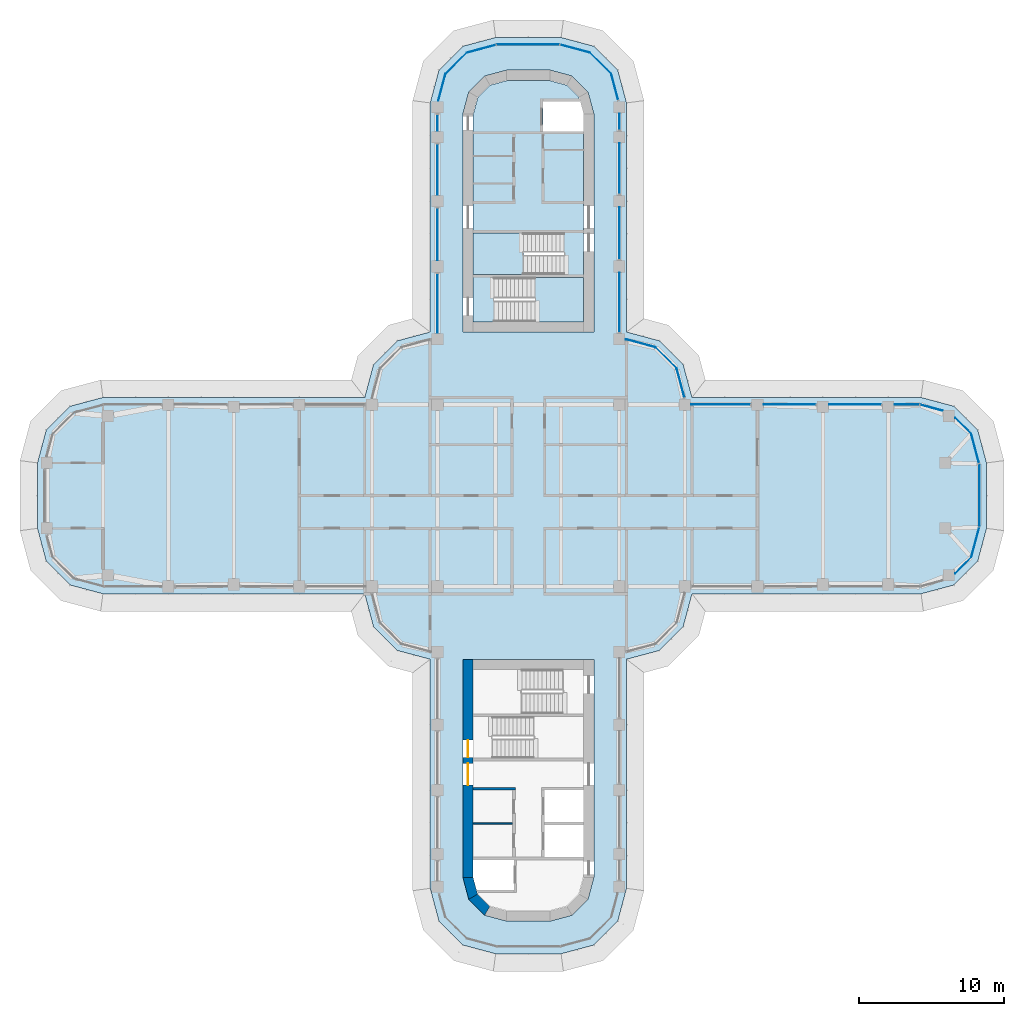
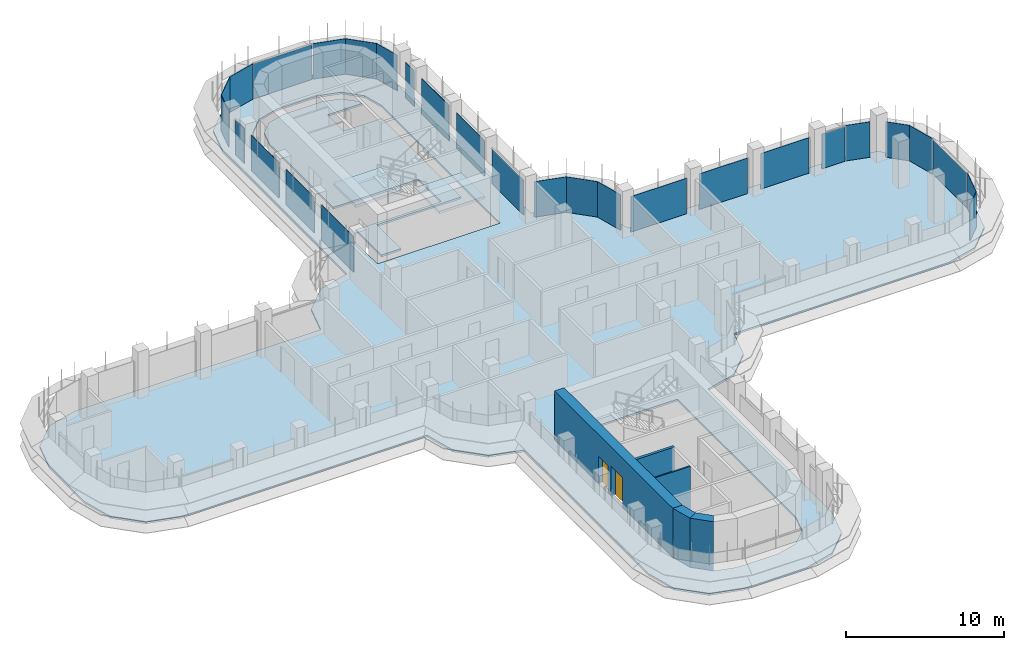
# One storey, part 12 of 19: 28 plates, 5 walls, 4 slabs, 2 doors, 2 openings, 21 elements without a shape of their own.
"""IFC4 building model written with IfcOpenShell, lengths in metres."""

from ifc_helpers import new_model, si_unit, direction, frame, frame_2d, origin, place, context, subcontext, project, spatial, polyline, rectangle, outline, extrude, source, transform, mapped, material, layer, layer_set, type_object, element, fill, aggregate, save


model = new_model("IFC4")

# Units and contexts
model_context = context("Model", 3, precision=1e-05, world=origin(), true_north=direction((0.0, 1.0)))
body_context = subcontext(model_context, "Body", "Model", "MODEL_VIEW")
ifc_project = project(units=[si_unit("LENGTHUNIT", "METRE"), si_unit("AREAUNIT", "SQUARE_METRE"), si_unit("VOLUMEUNIT", "CUBIC_METRE"), si_unit("PLANEANGLEUNIT", "RADIAN"), si_unit("MASSUNIT", "GRAM", prefix="KILO")], contexts=[model_context])

# Site, building, storey
site_placement = place(None, origin())
site = spatial("IfcSite", under=ifc_project, at=site_placement, CompositionType="ELEMENT")
building_placement = place(site_placement, origin())
building = spatial("IfcBuilding", under=site, at=building_placement, Name="Zarbagh Exchange Tower", CompositionType="ELEMENT")
storey_placement = place(building_placement, frame((0.0, 0.0, 167.60009765625)))
storey = spatial("IfcBuildingStorey", under=building, at=storey_placement, Name="L40", CompositionType="ELEMENT", Elevation=167.60009765625)

# Slabs
ifc_material_1 = material(Name="Concrete C40/50", Category="concrete")
ifc_layer_1 = layer(ifc_material_1, 0.14990234375)
ifc_layer_set_1 = layer_set([ifc_layer_1], Name="Composite floor slab 150 C40/50")
slab_type_1 = type_object("IfcSlabType", Name="Composite floor slab 150 C40/50", PredefinedType="FLOOR", material=ifc_layer_set_1)
slab_1_placement = place(storey_placement, frame((0.0, 0.0, -0.150146484375)))
element("IfcSlab", 1, at=slab_1_placement, inside=storey, type_object=slab_type_1, Name="S5 composite floor slab", PredefinedType="FLOOR", context=body_context, shape_type="SweptSolid", body=[
    extrude(outline(polyline([(-2.25, -31.5), (-4.5, -30.897216796875), (-6.147216796875, -29.25), (-6.75, -27.0), (-6.75, -11.25), (-9.0, -10.647216796875), (-10.647216796875, -9.0), (-11.25, -6.75), (-29.25, -6.75), (-31.5, -6.147216796875), (-33.147216796875, -4.5), (-33.75, -2.25), (-33.75, 2.25), (-33.147216796875, 4.5), (-31.5, 6.147216796875), (-29.25, 6.75), (-11.25, 6.75), (-10.647216796875, 9.0), (-9.0, 10.647216796875), (-6.75, 11.25), (-6.75, 27.0), (-6.147216796875, 29.25), (-4.5, 30.897216796875), (-2.25, 31.5), (2.25, 31.5), (4.5, 30.897216796875), (6.147216796875, 29.25), (6.75, 27.0), (6.75, 11.25), (9.0, 10.647216796875), (10.647216796875, 9.0), (11.25, 6.75), (27.0, 6.75), (29.25, 6.147216796875), (30.897216796875, 4.5), (31.5, 2.25), (31.5, -2.25), (30.897216796875, -4.5), (29.25, -6.147216796875), (27.0, -6.75), (11.25, -6.75), (10.647216796875, -9.0), (9.0, -10.647216796875), (6.75, -11.25), (6.75, -27.0), (6.147216796875, -29.25), (4.5, -30.897216796875), (2.25, -31.5), (-2.25, -31.5)]), holes=[polyline([(4.5, 11.25), (4.5, 26.25), (4.09814453125, 27.75), (3.0, 28.84814453125), (1.5, 29.25), (-1.5, 29.25), (-3.0, 28.84814453125), (-4.09814453125, 27.75), (-4.5, 26.25), (-4.5, 11.25), (4.5, 11.25)]), polyline([(-1.5, -29.25), (1.5, -29.25), (3.0, -28.84814453125), (4.09814453125, -27.75), (4.5, -26.25), (4.5, -11.25), (-4.5, -11.25), (-4.5, -26.25), (-4.09814453125, -27.75), (-3.0, -28.84814453125), (-1.5, -29.25)])]), origin(), (0.0, 0.0, 1.0), 0.150146484375),
])
ifc_layer_2 = layer(ifc_material_1, 0.14990234375)
ifc_layer_set_2 = layer_set([ifc_layer_2], Name="Core floor slab 150 C40/50")
slab_type_2 = type_object("IfcSlabType", Name="Core floor slab 150 C40/50", PredefinedType="FLOOR", material=ifc_layer_set_2)
slab_2_placement = place(storey_placement, frame((0.0, 0.0, -0.150146484375)))
element("IfcSlab", 2, at=slab_2_placement, inside=storey, type_object=slab_type_2, Name="S17 core N", PredefinedType="FLOOR", context=body_context, shape_type="SweptSolid", body=[
    extrude(outline(polyline([(-3.800048828125, 11.949951171875), (-3.800048828125, 15.199951171875), (2.449951171875, 15.199951171875), (2.449951171875, 18.050048828125), (-3.800048828125, 18.050048828125), (-3.800048828125, 26.15771484375), (-3.470458984375, 27.3876953125), (-2.6376953125, 28.220458984375), (-1.40771484375, 28.550048828125), (1.40771484375, 28.550048828125), (2.6376953125, 28.220458984375), (3.470458984375, 27.3876953125), (3.800048828125, 26.15771484375), (3.800048828125, 26.15771484375), (3.547607421875, 27.10009765625), (1.0, 27.10009765625), (1.0, 25.050048828125), (3.800048828125, 25.050048828125), (3.800048828125, 15.0), (-2.35009765625, 15.0), (-2.35009765625, 11.949951171875), (-3.800048828125, 11.949951171875)])), origin(), (0.0, 0.0, 1.0), 0.150146484375),
])

# Stair, slab
stair_type = type_object("IfcStairType", Name="Exit stair two-flight half-turn", PredefinedType="HALF_TURN_STAIR", material=ifc_material_1)
stair_1_placement = place(storey_placement, origin())
stair_1 = element("IfcStair", 3, at=stair_1_placement, inside=storey, type_object=stair_type, Name="exit stair ST1", PredefinedType="HALF_TURN_STAIR")
ifc_layer_3 = layer(ifc_material_1, 0.199951171875)
ifc_layer_set_3 = layer_set([ifc_layer_3], Name="Stair landing 200 mm")
slab_type_3 = type_object("IfcSlabType", Name="Stair landing 200 mm", PredefinedType="LANDING", material=ifc_layer_set_3)
slab_3_placement = place(storey_placement, frame((0.0, 0.0, 1.699951171875)))
slab_3 = element("IfcSlab", 4, at=slab_3_placement, type_object=slab_type_3, Name="ST1 landing 1", PredefinedType="LANDING", context=body_context, shape_type="SweptSolid", body=[
    extrude(outline(polyline([(-0.35009765625, 18.050048828125), (-3.800048828125, 18.050048828125), (-3.800048828125, 15.199951171875), (-0.35009765625, 15.199951171875), (-0.35009765625, 18.050048828125)])), origin(), (0.0, 0.0, 1.0), 0.199951171875),
])
aggregate(stair_1, [slab_3])

stair_2_placement = place(storey_placement, origin())
stair_2 = element("IfcStair", 5, at=stair_2_placement, inside=storey, type_object=stair_type, Name="exit stair ST2", PredefinedType="HALF_TURN_STAIR")
slab_4_placement = place(storey_placement, frame((0.0, 0.0, 1.699951171875)))
slab_4 = element("IfcSlab", 6, at=slab_4_placement, type_object=slab_type_3, Name="ST2 landing 1", PredefinedType="LANDING", context=body_context, shape_type="SweptSolid", body=[
    extrude(outline(polyline([(0.449951171875, 11.949951171875), (3.800048828125, 11.949951171875), (3.800048828125, 15.0), (0.449951171875, 15.0), (0.449951171875, 11.949951171875)])), origin(), (0.0, 0.0, 1.0), 0.199951171875),
])
aggregate(stair_2, [slab_4])

# Curtain wall, plate
ifc_material_2 = material(Name="Anodised aluminium frame and glazing", Category="aluminium")
curtain_wall_type = type_object("IfcCurtainWallType", Name="CWB Ribbon glazing, upper zones", PredefinedType="NOTDEFINED", material=ifc_material_2)
curtain_wall_1_placement = place(storey_placement, origin())
curtain_wall_1 = element("IfcCurtainWall", 7, at=curtain_wall_1_placement, inside=storey, type_object=curtain_wall_type, Name="CWB18 curtain wall", PredefinedType="NOTDEFINED")
ifc_material_3 = material(Name="Low-e double glazed unit, 6+12+6 mm")
ifc_layer_4 = layer(ifc_material_3, 0.031982421875)
ifc_layer_set_4 = layer_set([ifc_layer_4], Name="PAB Glazing panel, Low-e double glazed unit, 6+12+6 mm")
plate_type = type_object("IfcPlateType", Name="PAB Glazing panel, Low-e double glazed unit, 6+12+6 mm", PredefinedType="CURTAIN_PANEL", material=ifc_layer_set_4)
shared_shape_1 = source(origin(), body_context, "Body", "SweptSolid", [
    extrude(outline(polyline([(0.0, -0.01611328125), (2.061279296875, -0.01611328125), (2.061279296875, 0.01611328125), (0.0, 0.01611328125), (0.0, -0.01611328125)])), origin(), (0.0, 0.0, 1.0), 2.75),
])
placement = place(storey_placement, origin())
plate_1 = element("IfcPlate", 8, at=placement, type_object=plate_type, Name="CWB18 glazing panel 1.1", PredefinedType="CURTAIN_PANEL", context=body_context, shape_type="MappedRepresentation", body=[
    mapped(shared_shape_1, transform((10.19873046875, 8.7412109375, 0.0), x_axis=(-0.707106781187, 0.707106781187, 0.0), y_axis=(-0.707106781187, -0.707106781187, 0.0), z_axis=(0.0, 0.0, 1.0))),
])
aggregate(curtain_wall_1, [plate_1])

curtain_wall_2_placement = place(storey_placement, origin())
curtain_wall_2 = element("IfcCurtainWall", 9, at=curtain_wall_2_placement, inside=storey, type_object=curtain_wall_type, Name="CWB22 curtain wall", PredefinedType="NOTDEFINED")
plate_2 = element("IfcPlate", 10, at=placement, type_object=plate_type, Name="CWB22 glazing panel 1.1", PredefinedType="CURTAIN_PANEL", context=body_context, shape_type="MappedRepresentation", body=[
    mapped(shared_shape_1, transform((5.69873046875, 28.9912109375, 0.0), x_axis=(-0.707106781187, 0.707106781187, 0.0), y_axis=(-0.707106781187, -0.707106781187, 0.0), z_axis=(0.0, 0.0, 1.0))),
])
aggregate(curtain_wall_2, [plate_2])

curtain_wall_3_placement = place(storey_placement, origin())
curtain_wall_3 = element("IfcCurtainWall", 11, at=curtain_wall_3_placement, inside=storey, type_object=curtain_wall_type, Name="CWB26 curtain wall", PredefinedType="NOTDEFINED")
plate_3 = element("IfcPlate", 12, at=placement, type_object=plate_type, Name="CWB26 glazing panel 1.1", PredefinedType="CURTAIN_PANEL", context=body_context, shape_type="MappedRepresentation", body=[
    mapped(shared_shape_1, transform((-4.2412109375, 30.44873046875, 0.0), x_axis=(-0.707106781187, -0.707106781187, 0.0), y_axis=(0.707106781187, -0.707106781187, 0.0), z_axis=(0.0, 0.0, 1.0))),
])
aggregate(curtain_wall_3, [plate_3])

curtain_wall_4_placement = place(storey_placement, origin())
curtain_wall_4 = element("IfcCurtainWall", 13, at=curtain_wall_4_placement, inside=storey, type_object=curtain_wall_type, Name="CWB11 curtain wall", PredefinedType="NOTDEFINED")
shared_shape_2 = source(origin(), body_context, "Body", "SweptSolid", [
    extrude(outline(polyline([(0.0, -0.01611328125), (2.129638671875, -0.01611328125), (2.129638671875, 0.01611328125), (0.0, 0.01611328125), (0.0, -0.01611328125)])), origin(), (0.0, 0.0, 1.0), 2.75),
])
plate_4 = element("IfcPlate", 14, at=placement, type_object=plate_type, Name="CWB11 glazing panel 1.1", PredefinedType="CURTAIN_PANEL", context=body_context, shape_type="MappedRepresentation", body=[
    mapped(shared_shape_2, transform((30.44873046875, -4.2412109375, 0.0), x_axis=(0.258824779902, 0.965924289636, 0.0), y_axis=(-0.965924289636, 0.258824779902, 0.0), z_axis=(0.0, 0.0, 1.0))),
])
aggregate(curtain_wall_4, [plate_4])

curtain_wall_5_placement = place(storey_placement, origin())
curtain_wall_5 = element("IfcCurtainWall", 15, at=curtain_wall_5_placement, inside=storey, type_object=curtain_wall_type, Name="CWB23 curtain wall", PredefinedType="NOTDEFINED")
plate_5 = element("IfcPlate", 16, at=placement, type_object=plate_type, Name="CWB23 glazing panel 1.1", PredefinedType="CURTAIN_PANEL", context=body_context, shape_type="MappedRepresentation", body=[
    mapped(shared_shape_2, transform((4.2412109375, 30.44873046875, 0.0), x_axis=(-0.965924289636, 0.258824779902, 0.0), y_axis=(-0.258824779902, -0.965924289636, 0.0), z_axis=(0.0, 0.0, 1.0))),
])
aggregate(curtain_wall_5, [plate_5])

curtain_wall_6_placement = place(storey_placement, origin())
curtain_wall_6 = element("IfcCurtainWall", 17, at=curtain_wall_6_placement, inside=storey, type_object=curtain_wall_type, Name="CWB20 curtain wall", PredefinedType="NOTDEFINED")
shared_shape_3 = source(origin(), body_context, "Body", "SweptSolid", [
    extrude(outline(polyline([(0.0, -0.01611328125), (3.4599609375, -0.01611328125), (3.4599609375, 0.01611328125), (0.0, 0.01611328125), (0.0, -0.01611328125)])), origin(), (0.0, 0.0, 1.0), 2.75),
])
plate_6 = element("IfcPlate", 18, at=placement, type_object=plate_type, Name="CWB20 glazing panel 3.1", PredefinedType="CURTAIN_PANEL", context=body_context, shape_type="MappedRepresentation", body=[
    mapped(shared_shape_3, transform((6.25, 20.75, 0.0), x_axis=(0.0, 1.0, 0.0), y_axis=(-1.0, 0.0, 0.0), z_axis=(0.0, 0.0, 1.0))),
])

curtain_wall_7_placement = place(storey_placement, origin())
curtain_wall_7 = element("IfcCurtainWall", 19, at=curtain_wall_7_placement, inside=storey, type_object=curtain_wall_type, Name="CWB28 curtain wall", PredefinedType="NOTDEFINED")
plate_7 = element("IfcPlate", 20, at=placement, type_object=plate_type, Name="CWB28 glazing panel 2.1", PredefinedType="CURTAIN_PANEL", context=body_context, shape_type="MappedRepresentation", body=[
    mapped(shared_shape_3, transform((-6.25, 24.14990234375, 0.0), x_axis=(0.0, -1.0, 0.0), y_axis=(1.0, 0.0, 0.0), z_axis=(0.0, 0.0, 1.0))),
])

# Curtain wall, plates
curtain_wall_8_placement = place(storey_placement, origin())
curtain_wall_8 = element("IfcCurtainWall", 21, at=curtain_wall_8_placement, inside=storey, type_object=curtain_wall_type, Name="CWB16 curtain wall", PredefinedType="NOTDEFINED")
shared_shape_4 = source(origin(), body_context, "Body", "SweptSolid", [
    extrude(outline(polyline([(0.0, -0.01611328125), (3.56005859375, -0.01611328125), (3.56005859375, 0.01611328125), (0.0, 0.01611328125), (0.0, -0.01611328125)])), origin(), (0.0, 0.0, 1.0), 2.75),
])
plate_8 = element("IfcPlate", 22, at=placement, type_object=plate_type, Name="CWB16 glazing panel 2.1", PredefinedType="CURTAIN_PANEL", context=body_context, shape_type="MappedRepresentation", body=[
    mapped(shared_shape_4, transform((24.25, 6.25, 0.0), x_axis=(-1.0, 0.0, 0.0), y_axis=(0.0, -1.0, 0.0), z_axis=(0.0, 0.0, 1.0))),
])
plate_9 = element("IfcPlate", 23, at=placement, type_object=plate_type, Name="CWB16 glazing panel 3.1", PredefinedType="CURTAIN_PANEL", context=body_context, shape_type="MappedRepresentation", body=[
    mapped(shared_shape_4, transform((19.75, 6.25, 0.0), x_axis=(-1.0, 0.0, 0.0), y_axis=(0.0, -1.0, 0.0), z_axis=(0.0, 0.0, 1.0))),
])

# Plate
plate_10 = element("IfcPlate", 24, at=placement, type_object=plate_type, Name="CWB20 glazing panel 2.1", PredefinedType="CURTAIN_PANEL", context=body_context, shape_type="MappedRepresentation", body=[
    mapped(shared_shape_4, transform((6.25, 16.25, 0.0), x_axis=(0.0, 1.0, 0.0), y_axis=(-1.0, 0.0, 0.0), z_axis=(0.0, 0.0, 1.0))),
])

plate_11 = element("IfcPlate", 25, at=placement, type_object=plate_type, Name="CWB28 glazing panel 3.1", PredefinedType="CURTAIN_PANEL", context=body_context, shape_type="MappedRepresentation", body=[
    mapped(shared_shape_4, transform((-6.25, 19.75, 0.0), x_axis=(0.0, -1.0, 0.0), y_axis=(1.0, 0.0, 0.0), z_axis=(0.0, 0.0, 1.0))),
])

shared_shape_5 = source(origin(), body_context, "Body", "SweptSolid", [
    extrude(outline(polyline([(0.0, -0.01611328125), (4.06005859375, -0.01611328125), (4.06005859375, 0.01611328125), (0.0, 0.01611328125), (0.0, -0.01611328125)])), origin(), (0.0, 0.0, 1.0), 2.75),
])
plate_12 = element("IfcPlate", 26, at=placement, type_object=plate_type, Name="CWB16 glazing panel 4.1", PredefinedType="CURTAIN_PANEL", context=body_context, shape_type="MappedRepresentation", body=[
    mapped(shared_shape_5, transform((15.25, 6.25, 0.0), x_axis=(-1.0, 0.0, 0.0), y_axis=(0.0, -1.0, 0.0), z_axis=(0.0, 0.0, 1.0))),
])

plate_13 = element("IfcPlate", 27, at=placement, type_object=plate_type, Name="CWB28 glazing panel 4.1", PredefinedType="CURTAIN_PANEL", context=body_context, shape_type="MappedRepresentation", body=[
    mapped(shared_shape_5, transform((-6.25, 15.25, 0.0), x_axis=(0.0, -1.0, 0.0), y_axis=(1.0, 0.0, 0.0), z_axis=(0.0, 0.0, 1.0))),
])

# Curtain wall, plate
curtain_wall_9_placement = place(storey_placement, origin())
curtain_wall_9 = element("IfcCurtainWall", 28, at=curtain_wall_9_placement, inside=storey, type_object=curtain_wall_type, Name="CWB17 curtain wall", PredefinedType="NOTDEFINED")
shared_shape_6 = source(origin(), body_context, "Body", "SweptSolid", [
    extrude(outline(polyline([(0.0, -0.01611328125), (2.063720703125, -0.01611328125), (2.063720703125, 0.01611328125), (0.0, 0.01611328125), (0.0, -0.01611328125)])), origin(), (0.0, 0.0, 1.0), 2.75),
])
plate_14 = element("IfcPlate", 29, at=placement, type_object=plate_type, Name="CWB17 glazing panel 1.1", PredefinedType="CURTAIN_PANEL", context=body_context, shape_type="MappedRepresentation", body=[
    mapped(shared_shape_6, transform((10.73291015625, 6.748046875, 0.0), x_axis=(-0.258824779902, 0.965924289636, 0.0), y_axis=(-0.965924289636, -0.258824779902, 0.0), z_axis=(0.0, 0.0, 1.0))),
])
aggregate(curtain_wall_9, [plate_14])

curtain_wall_10_placement = place(storey_placement, origin())
curtain_wall_10 = element("IfcCurtainWall", 30, at=curtain_wall_10_placement, inside=storey, type_object=curtain_wall_type, Name="CWB19 curtain wall", PredefinedType="NOTDEFINED")
shared_shape_7 = source(origin(), body_context, "Body", "SweptSolid", [
    extrude(outline(polyline([(0.0, -0.01611328125), (2.12353515625, -0.01611328125), (2.12353515625, 0.01611328125), (0.0, 0.01611328125), (0.0, -0.01611328125)])), origin(), (0.0, 0.0, 1.0), 2.75),
])
plate_15 = element("IfcPlate", 31, at=placement, type_object=plate_type, Name="CWB19 glazing panel 1.1", PredefinedType="CURTAIN_PANEL", context=body_context, shape_type="MappedRepresentation", body=[
    mapped(shared_shape_7, transform((8.7412109375, 10.19873046875, 0.0), x_axis=(-0.965924289636, 0.258824779902, 0.0), y_axis=(-0.258824779902, -0.965924289636, 0.0), z_axis=(0.0, 0.0, 1.0))),
])
aggregate(curtain_wall_10, [plate_15])

# Plate
shared_shape_8 = source(origin(), body_context, "Body", "SweptSolid", [
    extrude(outline(polyline([(0.0, -0.01611328125), (4.06005859375, -0.01611328125), (4.06005859375, 0.01611328125), (0.0, 0.01611328125), (0.0, -0.01611328125)])), origin(), (0.0, 0.0, 1.0), 2.68994140625),
])
plate_16 = element("IfcPlate", 32, at=placement, type_object=plate_type, Name="CWB20 glazing panel 1.1", PredefinedType="CURTAIN_PANEL", context=body_context, shape_type="MappedRepresentation", body=[
    mapped(shared_shape_8, transform((6.25, 11.25, 0.0), x_axis=(0.0, 1.0, 0.0), y_axis=(-1.0, 0.0, 0.0), z_axis=(0.0, 0.0, 1.0))),
])

# Curtain wall, plate
curtain_wall_11_placement = place(storey_placement, origin())
curtain_wall_11 = element("IfcCurtainWall", 33, at=curtain_wall_11_placement, inside=storey, type_object=curtain_wall_type, Name="CWB10 curtain wall", PredefinedType="NOTDEFINED")
shared_shape_9 = source(origin(), body_context, "Body", "SweptSolid", [
    extrude(outline(polyline([(0.0, -0.01611328125), (1.556884765625, -0.01611328125), (1.556884765625, 0.01611328125), (0.0, 0.01611328125), (0.0, -0.01611328125)])), origin(), (0.0, 0.0, 1.0), 2.75),
])
plate_17 = element("IfcPlate", 34, at=placement, type_object=plate_type, Name="CWB10 glazing panel 1.1", PredefinedType="CURTAIN_PANEL", context=body_context, shape_type="MappedRepresentation", body=[
    mapped(shared_shape_9, transform((29.347900390625, -5.342041015625, 0.0), x_axis=(0.707106781187, 0.707106781187, 0.0), y_axis=(-0.707106781187, 0.707106781187, 0.0), z_axis=(0.0, 0.0, 1.0))),
])
aggregate(curtain_wall_11, [plate_17])

curtain_wall_12_placement = place(storey_placement, origin())
curtain_wall_12 = element("IfcCurtainWall", 35, at=curtain_wall_12_placement, inside=storey, type_object=curtain_wall_type, Name="CWB14 curtain wall", PredefinedType="NOTDEFINED")
plate_18 = element("IfcPlate", 36, at=placement, type_object=plate_type, Name="CWB14 glazing panel 1.1", PredefinedType="CURTAIN_PANEL", context=body_context, shape_type="MappedRepresentation", body=[
    mapped(shared_shape_9, transform((30.44873046875, 4.2412109375, 0.0), x_axis=(-0.707106781187, 0.707106781187, 0.0), y_axis=(-0.707106781187, -0.707106781187, 0.0), z_axis=(0.0, 0.0, 1.0))),
])
aggregate(curtain_wall_12, [plate_18])

curtain_wall_13_placement = place(storey_placement, origin())
curtain_wall_13 = element("IfcCurtainWall", 37, at=curtain_wall_13_placement, inside=storey, type_object=curtain_wall_type, Name="CWB12 curtain wall", PredefinedType="NOTDEFINED")
shared_shape_10 = source(origin(), body_context, "Body", "SweptSolid", [
    extrude(outline(polyline([(0.0, -0.01611328125), (4.308349609375, -0.01611328125), (4.308349609375, 0.01611328125), (0.0, 0.01611328125), (0.0, -0.01611328125)])), origin(), (0.0, 0.0, 1.0), 2.68994140625),
])
plate_19 = element("IfcPlate", 38, at=placement, type_object=plate_type, Name="CWB12 glazing panel 1.1", PredefinedType="CURTAIN_PANEL", context=body_context, shape_type="MappedRepresentation", body=[
    mapped(shared_shape_10, transform((31.0, -2.124267578125, 0.0), x_axis=(0.0, 1.0, 0.0), y_axis=(-1.0, 0.0, 0.0), z_axis=(0.0, 0.0, 1.0))),
])
aggregate(curtain_wall_13, [plate_19])

curtain_wall_14_placement = place(storey_placement, origin())
curtain_wall_14 = element("IfcCurtainWall", 39, at=curtain_wall_14_placement, inside=storey, type_object=curtain_wall_type, Name="CWB24 curtain wall", PredefinedType="NOTDEFINED")
plate_20 = element("IfcPlate", 40, at=placement, type_object=plate_type, Name="CWB24 glazing panel 1.1", PredefinedType="CURTAIN_PANEL", context=body_context, shape_type="MappedRepresentation", body=[
    mapped(shared_shape_10, transform((2.124267578125, 31.0, 0.0), x_axis=(-1.0, 0.0, 0.0), y_axis=(0.0, -1.0, 0.0), z_axis=(0.0, 0.0, 1.0))),
])
aggregate(curtain_wall_14, [plate_20])

curtain_wall_15_placement = place(storey_placement, origin())
curtain_wall_15 = element("IfcCurtainWall", 41, at=curtain_wall_15_placement, inside=storey, type_object=curtain_wall_type, Name="CWB13 curtain wall", PredefinedType="NOTDEFINED")
shared_shape_11 = source(origin(), body_context, "Body", "SweptSolid", [
    extrude(outline(polyline([(0.0, -0.01611328125), (2.069580078125, -0.01611328125), (2.069580078125, 0.01611328125), (0.0, 0.01611328125), (0.0, -0.01611328125)])), origin(), (0.0, 0.0, 1.0), 2.75),
])
plate_21 = element("IfcPlate", 42, at=placement, type_object=plate_type, Name="CWB13 glazing panel 1.1", PredefinedType="CURTAIN_PANEL", context=body_context, shape_type="MappedRepresentation", body=[
    mapped(shared_shape_11, transform((30.984375, 2.2421875, 0.0), x_axis=(-0.258824779902, 0.965924289636, 0.0), y_axis=(-0.965924289636, -0.258824779902, 0.0), z_axis=(0.0, 0.0, 1.0))),
])
aggregate(curtain_wall_15, [plate_21])

curtain_wall_16_placement = place(storey_placement, origin())
curtain_wall_16 = element("IfcCurtainWall", 43, at=curtain_wall_16_placement, inside=storey, type_object=curtain_wall_type, Name="CWB25 curtain wall", PredefinedType="NOTDEFINED")
plate_22 = element("IfcPlate", 44, at=placement, type_object=plate_type, Name="CWB25 glazing panel 1.1", PredefinedType="CURTAIN_PANEL", context=body_context, shape_type="MappedRepresentation", body=[
    mapped(shared_shape_11, transform((-2.2421875, 30.984375, 0.0), x_axis=(-0.965924289636, -0.258824779902, 0.0), y_axis=(0.258824779902, -0.965924289636, 0.0), z_axis=(0.0, 0.0, 1.0))),
])
aggregate(curtain_wall_16, [plate_22])

curtain_wall_17_placement = place(storey_placement, origin())
curtain_wall_17 = element("IfcCurtainWall", 45, at=curtain_wall_17_placement, inside=storey, type_object=curtain_wall_type, Name="CWB15 curtain wall", PredefinedType="NOTDEFINED")
shared_shape_12 = source(origin(), body_context, "Body", "SweptSolid", [
    extrude(outline(polyline([(0.0, -0.01611328125), (1.587890625, -0.01611328125), (1.587890625, 0.01611328125), (0.0, 0.01611328125), (0.0, -0.01611328125)])), origin(), (0.0, 0.0, 1.0), 2.75),
])
plate_23 = element("IfcPlate", 46, at=placement, type_object=plate_type, Name="CWB15 glazing panel 1.1", PredefinedType="CURTAIN_PANEL", context=body_context, shape_type="MappedRepresentation", body=[
    mapped(shared_shape_12, transform((28.468017578125, 5.839111328125, 0.0), x_axis=(-0.965924289636, 0.258824779902, 0.0), y_axis=(-0.258824779902, -0.965924289636, 0.0), z_axis=(0.0, 0.0, 1.0))),
])
aggregate(curtain_wall_17, [plate_23])

# Plate
shared_shape_13 = source(origin(), body_context, "Body", "SweptSolid", [
    extrude(outline(polyline([(0.0, -0.01611328125), (1.68408203125, -0.01611328125), (1.68408203125, 0.01611328125), (0.0, 0.01611328125), (0.0, -0.01611328125)])), origin(), (0.0, 0.0, 1.0), 2.68994140625),
])
plate_24 = element("IfcPlate", 47, at=placement, type_object=plate_type, Name="CWB16 glazing panel 1.1", PredefinedType="CURTAIN_PANEL", context=body_context, shape_type="MappedRepresentation", body=[
    mapped(shared_shape_13, transform((26.874267578125, 6.25, 0.0), x_axis=(-1.0, 0.0, 0.0), y_axis=(0.0, -1.0, 0.0), z_axis=(0.0, 0.0, 1.0))),
])

aggregate(curtain_wall_8, [plate_24, plate_8, plate_9, plate_12])

shared_shape_14 = source(origin(), body_context, "Body", "SweptSolid", [
    extrude(outline(polyline([(0.0, -0.01611328125), (1.110107421875, -0.01611328125), (1.110107421875, 0.01611328125), (0.0, 0.01611328125), (0.0, -0.01611328125)])), origin(), (0.0, 0.0, 1.0), 2.75),
])
plate_25 = element("IfcPlate", 48, at=placement, type_object=plate_type, Name="CWB20 glazing panel 4.1", PredefinedType="CURTAIN_PANEL", context=body_context, shape_type="MappedRepresentation", body=[
    mapped(shared_shape_14, transform((6.25, 25.150146484375, 0.0), x_axis=(0.0, 1.0, 0.0), y_axis=(-1.0, 0.0, 0.0), z_axis=(0.0, 0.0, 1.0))),
])

aggregate(curtain_wall_6, [plate_16, plate_10, plate_6, plate_25])

# Curtain wall, plate
curtain_wall_18_placement = place(storey_placement, origin())
curtain_wall_18 = element("IfcCurtainWall", 49, at=curtain_wall_18_placement, inside=storey, type_object=curtain_wall_type, Name="CWB21 curtain wall", PredefinedType="NOTDEFINED")
shared_shape_15 = source(origin(), body_context, "Body", "SweptSolid", [
    extrude(outline(polyline([(0.0, -0.01611328125), (1.8564453125, -0.01611328125), (1.8564453125, 0.01611328125), (0.0, 0.01611328125), (0.0, -0.01611328125)])), origin(), (0.0, 0.0, 1.0), 2.75),
])
plate_26 = element("IfcPlate", 50, at=placement, type_object=plate_type, Name="CWB21 glazing panel 1.1", PredefinedType="CURTAIN_PANEL", context=body_context, shape_type="MappedRepresentation", body=[
    mapped(shared_shape_15, transform((6.17919921875, 27.197998046875, 0.0), x_axis=(-0.258824779902, 0.965924289636, 0.0), y_axis=(-0.965924289636, -0.258824779902, 0.0), z_axis=(0.0, 0.0, 1.0))),
])
aggregate(curtain_wall_18, [plate_26])

curtain_wall_19_placement = place(storey_placement, origin())
curtain_wall_19 = element("IfcCurtainWall", 51, at=curtain_wall_19_placement, inside=storey, type_object=curtain_wall_type, Name="CWB27 curtain wall", PredefinedType="NOTDEFINED")
shared_shape_16 = source(origin(), body_context, "Body", "SweptSolid", [
    extrude(outline(polyline([(0.0, -0.01611328125), (1.91650390625, -0.01611328125), (1.91650390625, 0.01611328125), (0.0, 0.01611328125), (0.0, -0.01611328125)])), origin(), (0.0, 0.0, 1.0), 2.75),
])
plate_27 = element("IfcPlate", 52, at=placement, type_object=plate_type, Name="CWB27 glazing panel 1.1", PredefinedType="CURTAIN_PANEL", context=body_context, shape_type="MappedRepresentation", body=[
    mapped(shared_shape_16, transform((-5.69873046875, 28.9912109375, 0.0), x_axis=(-0.258824779902, -0.965924289636, 0.0), y_axis=(0.965924289636, -0.258824779902, 0.0), z_axis=(0.0, 0.0, 1.0))),
])
aggregate(curtain_wall_19, [plate_27])

# Plate
shared_shape_17 = source(origin(), body_context, "Body", "SweptSolid", [
    extrude(outline(polyline([(0.0, -0.01611328125), (1.110107421875, -0.01611328125), (1.110107421875, 0.01611328125), (0.0, 0.01611328125), (0.0, -0.01611328125)])), origin(), (0.0, 0.0, 1.0), 2.68994140625),
])
plate_28 = element("IfcPlate", 53, at=placement, type_object=plate_type, Name="CWB28 glazing panel 1.1", PredefinedType="CURTAIN_PANEL", context=body_context, shape_type="MappedRepresentation", body=[
    mapped(shared_shape_17, transform((-6.25, 26.199951171875, 0.0), x_axis=(0.0, -1.0, 0.0), y_axis=(1.0, 0.0, 0.0), z_axis=(0.0, 0.0, 1.0))),
])

aggregate(curtain_wall_7, [plate_28, plate_7, plate_11, plate_13])

# Walls
ifc_material_4 = material(Name="Dense blockwork", Category="masonry")
ifc_layer_5 = layer(ifc_material_4, 0.10009765625)
ifc_layer_set_5 = layer_set([ifc_layer_5], Name="Core partition 100 mm blockwork")
wall_type_1 = type_object("IfcWallType", Name="Core partition 100 mm blockwork", PredefinedType="PARTITIONING", material=ifc_layer_set_5)
wall_1_placement = place(storey_placement, frame((-1.10009765625, -22.550048828125, 0.0), z_axis=(0.0, 0.0, 1.0), x_axis=(-1.0, 0.0, 0.0)))
element("IfcWall", 54, at=wall_1_placement, inside=storey, type_object=wall_type_1, Name="South core partition wall CUT-E-580", PredefinedType="PARTITIONING", context=body_context, shape_type="SweptSolid", body=[
    extrude(rectangle(XDim=2.699951171875, YDim=0.10009765625, at=frame_2d((1.35009765625, 0.0))), origin(), (0.0, 0.0, 1.0), 3.64990234375),
])
ifc_material_5 = material(Name="Concrete C50/60", Category="concrete")
ifc_layer_6 = layer(ifc_material_5, 0.699951171875)
ifc_layer_set_6 = layer_set([ifc_layer_6], Name="RC core corner wall 700 C50/60")
wall_type_2 = type_object("IfcWallType", Name="RC core corner wall 700 C50/60", PredefinedType="SHEAR", material=ifc_layer_set_6)
wall_2_placement = place(storey_placement, origin())
element("IfcWall", 55, at=wall_2_placement, inside=storey, type_object=wall_type_2, Name="CW6 core S corner W", PredefinedType="SHEAR", context=body_context, shape_type="SweptSolid", body=[
    extrude(outline(polyline([(-4.5, -26.25), (-4.09814453125, -27.75), (-3.491943359375, -27.39990234375), (-3.800048828125, -26.25), (-4.5, -26.25)])), origin(), (0.0, 0.0, 1.0), 3.7998046875),
])
wall_3_placement = place(storey_placement, origin())
element("IfcWall", 56, at=wall_3_placement, inside=storey, type_object=wall_type_2, Name="CW6 core S corner W", PredefinedType="SHEAR", context=body_context, shape_type="SweptSolid", body=[
    extrude(outline(polyline([(-4.09814453125, -27.75), (-3.0, -28.84814453125), (-2.64990234375, -28.241943359375), (-3.491943359375, -27.39990234375), (-4.09814453125, -27.75)])), origin(), (0.0, 0.0, 1.0), 3.7998046875),
])

# Wall, openings, doors
ifc_layer_7 = layer(ifc_material_5, 0.699951171875)
ifc_layer_set_7 = layer_set([ifc_layer_7], Name="RC core wall 700 C50/60")
wall_type_3 = type_object("IfcWallType", Name="RC core wall 700 C50/60", PredefinedType="SHEAR", material=ifc_layer_set_7)
wall_4_placement = place(storey_placement, frame((-4.14990234375, -11.25, 0.0), z_axis=(0.0, 0.0, 1.0), x_axis=(0.0, -1.0, 0.0)))
wall_4 = element("IfcWall", 57, at=wall_4_placement, inside=storey, type_object=wall_type_3, Name="CW5 core S W", PredefinedType="SHEAR", context=body_context, shape_type="SweptSolid", body=[
    extrude(rectangle(XDim=15.0, YDim=0.699951171875, at=frame_2d((7.5, 0.0))), origin(), (0.0, 0.0, 1.0), 3.7998046875),
])
opening_1_placement = place(wall_4_placement, frame((7.14990234375, 0.0, 0.0)))
opening_1 = element("IfcOpeningElement", 58, at=opening_1_placement, cuts=wall_4, Name="Opening CD1-1500", PredefinedType="OPENING", context=body_context, shape_type="SweptSolid", body=[
    extrude(rectangle(XDim=1.5, YDim=2.300048828125, at=frame_2d((0.75, 1.14990234375))), frame((0.0, 0.35986328125, 0.0), z_axis=(0.0, -1.0, 0.0), x_axis=(1.0, 0.0, 0.0)), (0.0, 0.0, 1.0), 0.719970703125),
])
opening_2_placement = place(wall_4_placement, frame((5.550048828125, 0.0, 0.0)))
opening_2 = element("IfcOpeningElement", 59, at=opening_2_placement, cuts=wall_4, Name="Opening SD1-1200", PredefinedType="OPENING", context=body_context, shape_type="SweptSolid", body=[
    extrude(rectangle(XDim=1.199951171875, YDim=2.10009765625, at=frame_2d((0.60009765625, 1.050048828125))), frame((0.0, 0.35986328125, 0.0), z_axis=(0.0, -1.0, 0.0), x_axis=(1.0, 0.0, 0.0)), (0.0, 0.0, 1.0), 0.719970703125),
])
ifc_material_6 = material(Name="Steel", Category="steel")
door_type_1 = type_object("IfcDoorType", Name="Exit stair door 1200 x 2100", OperationType="NOTDEFINED", PredefinedType="DOOR", material=ifc_material_6)
door_1_placement = place(opening_2_placement, origin())
door_1 = element("IfcDoor", 60, at=door_1_placement, inside=storey, type_object=door_type_1, Name="South core stair door ST1", OperationType="SINGLE_SWING_LEFT", OverallHeight=2.10009765625, OverallWidth=1.199951171875, PredefinedType="DOOR", context=body_context, shape_type="SweptSolid", body=[
    extrude(rectangle(XDim=1.199951171875, YDim=2.10009765625, at=frame_2d((0.60009765625, 1.050048828125))), frame((0.0, 0.02490234375, 0.0), z_axis=(0.0, -1.0, 0.0), x_axis=(1.0, 0.0, 0.0)), (0.0, 0.0, 1.0), 0.050048828125),
])
fill(opening_2, door_1)
door_type_2 = type_object("IfcDoorType", Name="Lift lobby double door 1500 x 2300", OperationType="NOTDEFINED", PredefinedType="DOOR", material=ifc_material_6)
door_2_placement = place(opening_1_placement, origin())
door_2 = element("IfcDoor", 61, at=door_2_placement, inside=storey, type_object=door_type_2, Name="South core lift lobby door LOBBY-E", OperationType="DOUBLE_DOOR_SINGLE_SWING", OverallHeight=2.300048828125, OverallWidth=1.5, PredefinedType="DOOR", context=body_context, shape_type="SweptSolid", body=[
    extrude(rectangle(XDim=1.5, YDim=2.300048828125, at=frame_2d((0.75, 1.14990234375))), frame((0.0, 0.02490234375, 0.0), z_axis=(0.0, -1.0, 0.0), x_axis=(1.0, 0.0, 0.0)), (0.0, 0.0, 1.0), 0.050048828125),
])
fill(opening_1, door_2)

# Wall
ifc_layer_8 = layer(ifc_material_4, 0.199951171875)
ifc_layer_set_8 = layer_set([ifc_layer_8], Name="Shaft wall 200 mm blockwork")
wall_type_4 = type_object("IfcWallType", Name="Shaft wall 200 mm blockwork", PredefinedType="PARTITIONING", material=ifc_layer_set_8)
wall_5_placement = place(storey_placement, frame((-0.89990234375, -20.14990234375, 0.0), z_axis=(0.0, 0.0, 1.0), x_axis=(-1.0, 0.0, 0.0)))
element("IfcWall", 62, at=wall_5_placement, inside=storey, type_object=wall_type_4, Name="South core shaft wall AB-E", PredefinedType="PARTITIONING", context=body_context, shape_type="SweptSolid", body=[
    extrude(rectangle(XDim=2.900146484375, YDim=0.199951171875, at=frame_2d((1.4501953125, 0.0))), origin(), (0.0, 0.0, 1.0), 3.64990234375),
])

save(model, "model.ifc")
